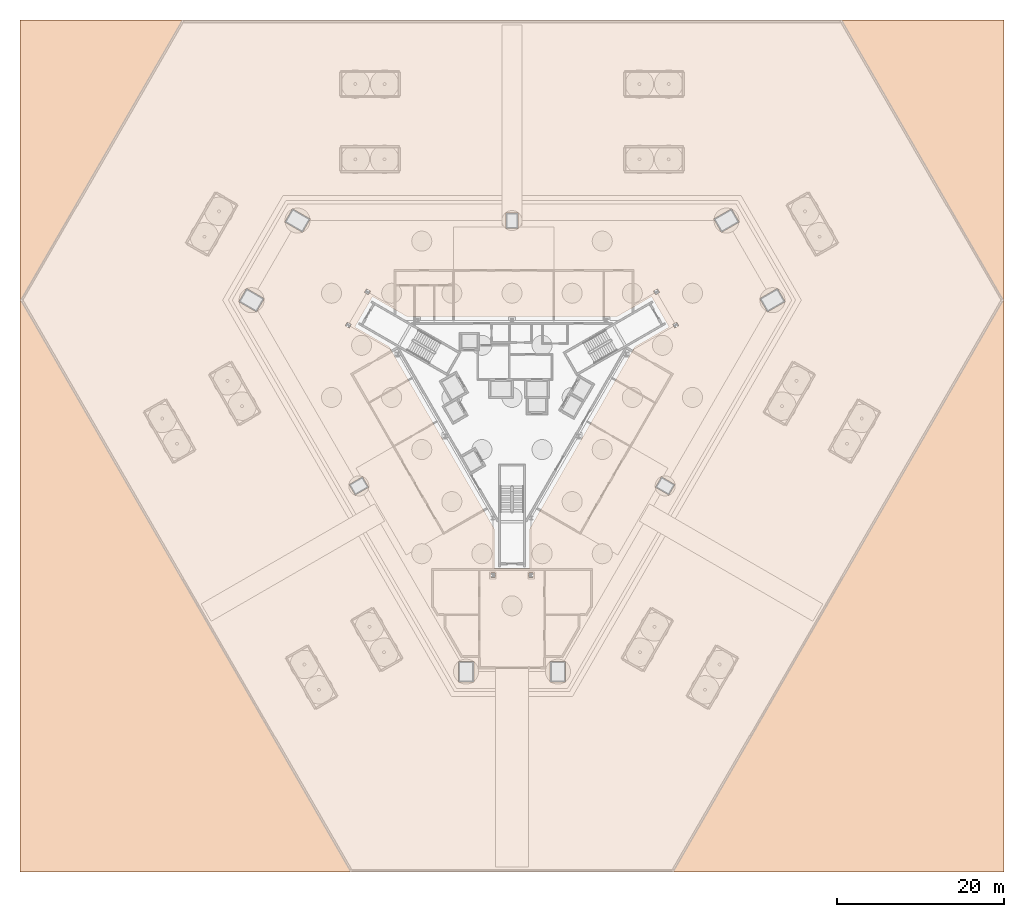
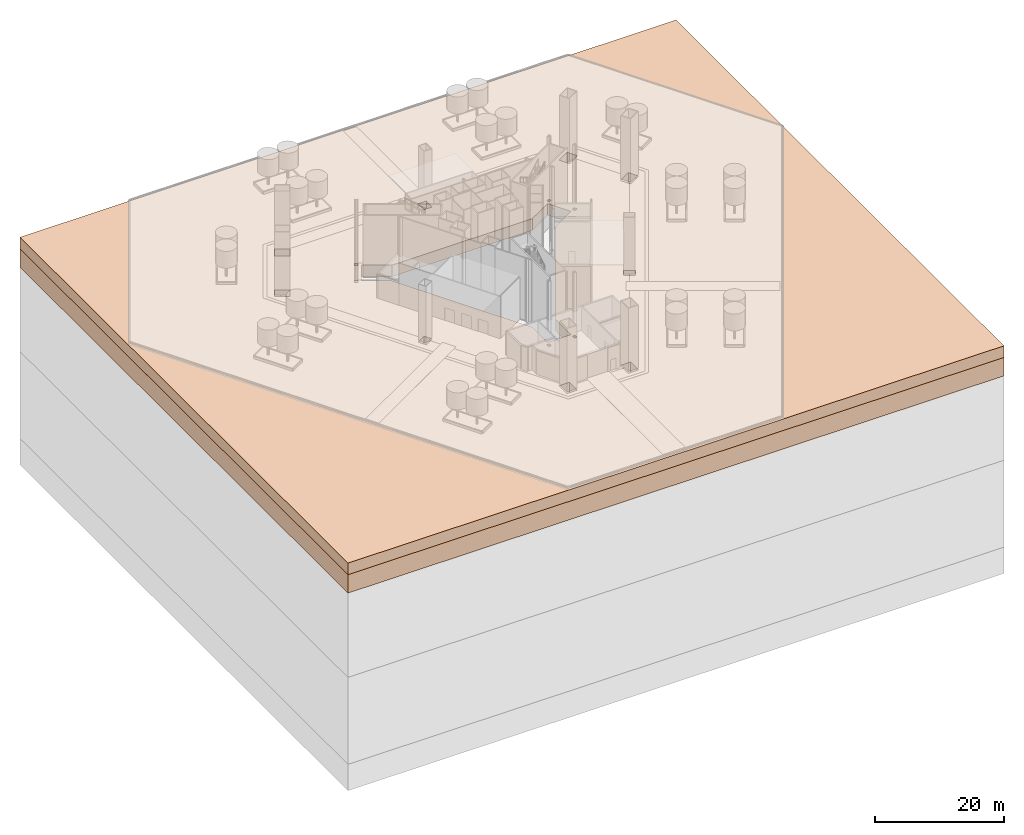
# One storey, part 20 of 22: 2 geographic elements.
"""IFC4 building model written with IfcOpenShell, lengths in metres."""

from ifc_helpers import new_model, si_unit, direction, frame, origin, place, context, subcontext, project, spatial, polyline, outline, extrude, material, layer, layer_set, type_object, element, save


model = new_model("IFC4")

# Units and contexts
model_context = context("Model", 3, precision=1e-05, world=origin(), true_north=direction((0.0, 1.0)))
body_context = subcontext(model_context, "Body", "Model", "MODEL_VIEW")
ifc_project = project(units=[si_unit("LENGTHUNIT", "METRE"), si_unit("AREAUNIT", "SQUARE_METRE"), si_unit("VOLUMEUNIT", "CUBIC_METRE"), si_unit("PLANEANGLEUNIT", "RADIAN"), si_unit("MASSUNIT", "GRAM", prefix="KILO")], contexts=[model_context])

# Site, building, storey
site_placement = place(None, origin())
site = spatial("IfcSite", under=ifc_project, at=site_placement, CompositionType="ELEMENT")
building_placement = place(site_placement, origin())
building = spatial("IfcBuilding", under=site, at=building_placement, Name="Verrane Prism Tower", CompositionType="ELEMENT")
storey_placement = place(building_placement, origin())
storey = spatial("IfcBuildingStorey", under=building, at=storey_placement, Name="L00", CompositionType="ELEMENT", Elevation=0.0)

# Geographic elements
ifc_material_1 = material(Name="Glacial clay", Category="other")
ifc_layer_1 = layer(ifc_material_1, 3.5)
ifc_layer_set_1 = layer_set([ifc_layer_1], Name="Glacial clay at raft level stratum")
geographic_element_type_1 = type_object("IfcGeographicElementType", Name="Glacial clay at raft level stratum", PredefinedType="TERRAIN", material=ifc_layer_set_1)
geographic_element_1_placement = place(storey_placement, frame((0.0, 0.0, -6.0)))
element("IfcGeographicElement", 1, at=geographic_element_1_placement, inside=storey, type_object=geographic_element_type_1, Name="Glacial clay at raft level", PredefinedType="TERRAIN", context=body_context, shape_type="SweptSolid", body=[
    extrude(outline(polyline([(-58.8798828125, -56.81396484375), (58.8798828125, -56.81396484375), (58.8798828125, 45.169921875), (-58.8798828125, 45.169921875), (-58.8798828125, -56.81396484375)]), holes=[polyline([(-26.822021484375, 23.169921875), (-33.47705078125, 11.64404296875), (-6.655029296875, -34.81396484375), (6.655029296875, -34.81396484375), (33.47705078125, 11.64404296875), (26.822021484375, 23.169921875), (-26.822021484375, 23.169921875)])]), origin(), (0.0, 0.0, 1.0), 3.5),
])
ifc_material_2 = material(Name="Made ground fill", Category="other")
ifc_layer_2 = layer(ifc_material_2, 2.199951171875)
ifc_layer_set_2 = layer_set([ifc_layer_2], Name="Made ground stratum")
geographic_element_type_2 = type_object("IfcGeographicElementType", Name="Made ground stratum", PredefinedType="TERRAIN", material=ifc_layer_set_2)
geographic_element_2_placement = place(storey_placement, frame((0.0, 0.0, -2.5)))
element("IfcGeographicElement", 2, at=geographic_element_2_placement, inside=storey, type_object=geographic_element_type_2, Name="Made ground", PredefinedType="TERRAIN", context=body_context, shape_type="SweptSolid", body=[
    extrude(outline(polyline([(-58.8798828125, -56.81396484375), (58.8798828125, -56.81396484375), (58.8798828125, 45.169921875), (-58.8798828125, 45.169921875), (-58.8798828125, -56.81396484375)]), holes=[polyline([(-4.570068359375, -31.580078125), (-6.429931640625, -31.580078125), (-6.429931640625, -34.0400390625), (-4.570068359375, -34.0400390625), (-4.570068359375, -31.580078125)]), polyline([(-2.05810546875, -21.56689453125), (-2.05810546875, -21.032958984375), (-2.5419921875, -21.032958984375), (-2.5419921875, -21.56689453125), (-2.05810546875, -21.56689453125)]), polyline([(-17.159912109375, -10.757080078125), (-17.889892578125, -9.492919921875), (-19.5, -10.423095703125), (-18.77001953125, -11.68701171875), (-17.159912109375, -10.757080078125)]), polyline([(12.60107421875, 9.699951171875), (-12.60107421875, 9.699951171875), (-16.7041015625, 12.069091796875), (-18.803955078125, 8.430908203125), (-14.700927734375, 6.06298828125), (-2.10009765625, -15.762939453125), (-2.10009765625, -20.5), (2.10009765625, -20.5), (2.10009765625, -15.762939453125), (14.700927734375, 6.06298828125), (18.803955078125, 8.430908203125), (16.7041015625, 12.069091796875), (12.60107421875, 9.699951171875)]), polyline([(-19.952880859375, 8.583984375), (-19.489013671875, 8.31689453125), (-19.2470703125, 8.736083984375), (-19.7109375, 9.0029296875), (-19.952880859375, 8.583984375)]), polyline([(-30.570068359375, 10.219970703125), (-29.639892578125, 11.830078125), (-31.77001953125, 13.06005859375), (-32.699951171875, 11.449951171875), (-30.570068359375, 10.219970703125)]), polyline([(-17.653076171875, 12.56396484375), (-17.18896484375, 12.297119140625), (-16.947021484375, 12.716064453125), (-17.410888671875, 12.98291015625), (-17.653076171875, 12.56396484375)]), polyline([(-27.199951171875, 20.97998046875), (-25.070068359375, 19.75), (-24.139892578125, 21.360107421875), (-26.27001953125, 22.590087890625), (-27.199951171875, 20.97998046875)]), polyline([(-0.72998046875, 20.239990234375), (0.72998046875, 20.239990234375), (0.72998046875, 22.10009765625), (-0.72998046875, 22.10009765625), (-0.72998046875, 20.239990234375)]), polyline([(6.429931640625, -34.0400390625), (6.429931640625, -31.580078125), (4.570068359375, -31.580078125), (4.570068359375, -34.0400390625), (6.429931640625, -34.0400390625)]), polyline([(2.5419921875, -21.56689453125), (2.5419921875, -21.032958984375), (2.05810546875, -21.032958984375), (2.05810546875, -21.56689453125), (2.5419921875, -21.56689453125)]), polyline([(19.5, -10.423095703125), (17.889892578125, -9.492919921875), (17.159912109375, -10.757080078125), (18.77001953125, -11.68701171875), (19.5, -10.423095703125)]), polyline([(19.7109375, 9.0029296875), (19.2470703125, 8.736083984375), (19.489013671875, 8.31689453125), (19.952880859375, 8.583984375), (19.7109375, 9.0029296875)]), polyline([(31.77001953125, 13.06005859375), (29.639892578125, 11.830078125), (30.570068359375, 10.219970703125), (32.699951171875, 11.449951171875), (31.77001953125, 13.06005859375)]), polyline([(17.410888671875, 12.98291015625), (16.947021484375, 12.716064453125), (17.18896484375, 12.297119140625), (17.653076171875, 12.56396484375), (17.410888671875, 12.98291015625)]), polyline([(26.27001953125, 22.590087890625), (24.139892578125, 21.360107421875), (25.070068359375, 19.75), (27.199951171875, 20.97998046875), (26.27001953125, 22.590087890625)])]), origin(), (0.0, 0.0, 1.0), 2.199951171875),
])

save(model, "model.ifc")
